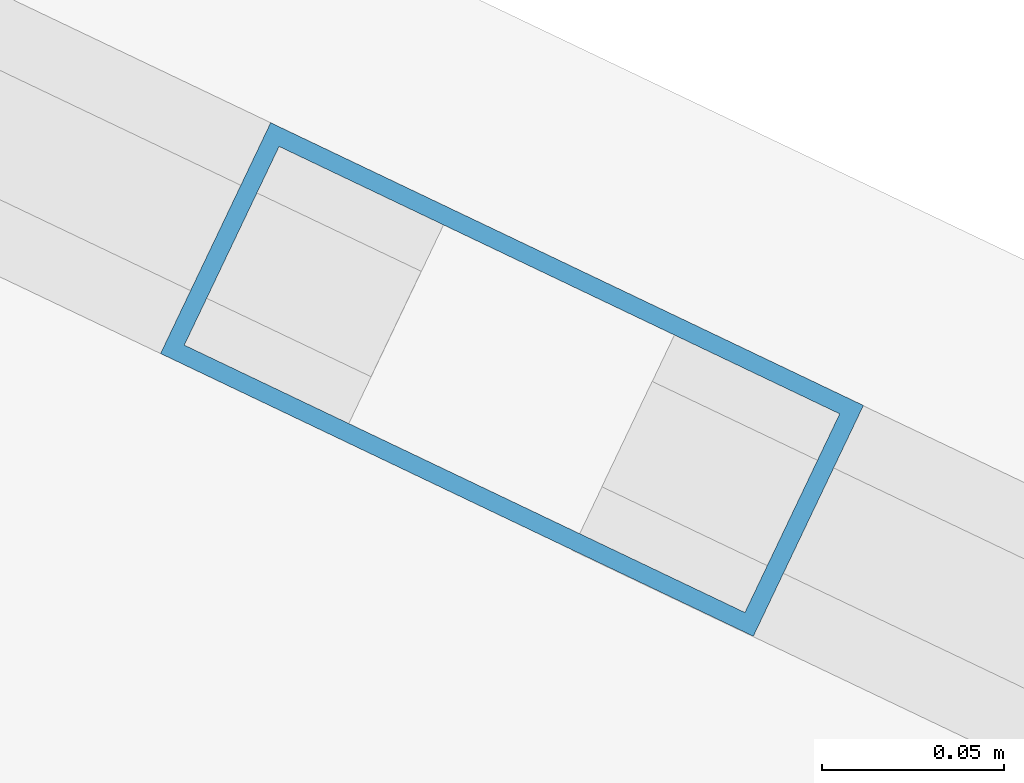
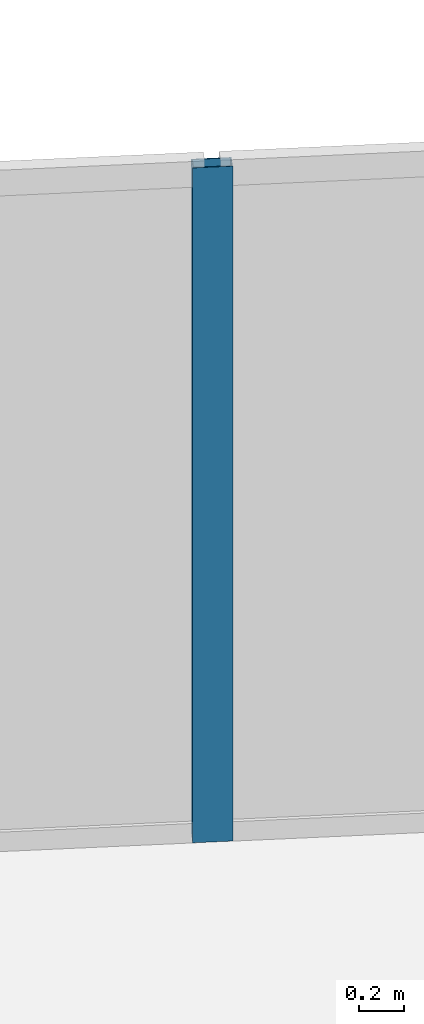
# One storey, part 20 of 25: 1 member, 1 element without a shape of its own.
"""IFC4 building model written with IfcOpenShell, lengths in metres."""

from ifc_helpers import new_model, si_unit, direction, frame, origin, origin_2d, place, context, subcontext, project, spatial, hollow_rectangle, extrude, source, transform, mapped, material, material_profile, profile_set, type_object, type_shapes, element, aggregate, save


model = new_model("IFC4")

# Units and contexts
model_context = context("Model", 3, precision=1e-05, world=origin(), true_north=direction((0.0, 1.0)))
body_context = subcontext(model_context, "Body", "Model", "MODEL_VIEW")
ifc_project = project(units=[si_unit("LENGTHUNIT", "METRE"), si_unit("AREAUNIT", "SQUARE_METRE"), si_unit("VOLUMEUNIT", "CUBIC_METRE"), si_unit("PLANEANGLEUNIT", "RADIAN"), si_unit("MASSUNIT", "GRAM", prefix="KILO")], contexts=[model_context])

# Site, building, storey
site_placement = place(None, origin())
site = spatial("IfcSite", under=ifc_project, at=site_placement, CompositionType="ELEMENT")
building_placement = place(site_placement, origin())
building = spatial("IfcBuilding", under=site, at=building_placement, Name="Krantzveldt Concourse Tower", CompositionType="ELEMENT")
storey_placement = place(building_placement, frame((0.0, 0.0, 146.199951171875)))
storey = spatial("IfcBuildingStorey", under=building, at=storey_placement, Name="L35", CompositionType="ELEMENT", Elevation=146.199951171875)

# Curtain wall, member
ifc_material = material(Name="Anodised aluminium 6063-T6", Category="aluminium")
curtain_wall_type = type_object("IfcCurtainWallType", Name="CW3", PredefinedType="USERDEFINED", material=ifc_material)
curtain_wall_placement = place(storey_placement, origin())
curtain_wall = element("IfcCurtainWall", 1, at=curtain_wall_placement, inside=storey, type_object=curtain_wall_type, Name="CW-L35-F10", ObjectType="UNITISED CURTAIN WALL", PredefinedType="USERDEFINED")
ifc_material_profile = material_profile(ifc_material, hollow_rectangle(XDim=0.070068359375, YDim=0.179931640625, WallThickness=0.0048828125, at=origin_2d()), Name="Anodised aluminium 6063-T6", Category="aluminium")
ifc_profile_set = profile_set([ifc_material_profile], Name="Anodised aluminium 6063-T6 - ALU-MULL 180x70x5")
member_type = type_object("IfcMemberType", Name="CW-MUL-180", PredefinedType="MULLION", material=ifc_profile_set)
shared_shape = source(origin(), body_context, "Body", "SweptSolid", [
    extrude(hollow_rectangle(XDim=0.070068359375, YDim=0.179931640625, WallThickness=0.0048828125, at=origin_2d()), origin(), (0.0, 0.0, 1.0), 3.670166015625),
])
type_shapes(member_type, [shared_shape])
member_placement = place(storey_placement, frame((42.24853515625, 47.883544921875, 0.0), z_axis=(0.0, 0.0, 1.0), x_axis=(-0.430511162987, -0.902585252784, 0.0)))
member = element("IfcMember", 2, at=member_placement, type_object=member_type, Name="CW-Z34 mullion 4", PredefinedType="MULLION", context=body_context, shape_type="MappedRepresentation", body=[
    mapped(shared_shape, transform((0.0, 0.0, 0.0), x_axis=(1.0, 0.0, 0.0), y_axis=(0.0, 1.0, 0.0), z_axis=(0.0, 0.0, 1.0), scale=1.0)),
])
aggregate(curtain_wall, [member])

save(model, "model.ifc")
